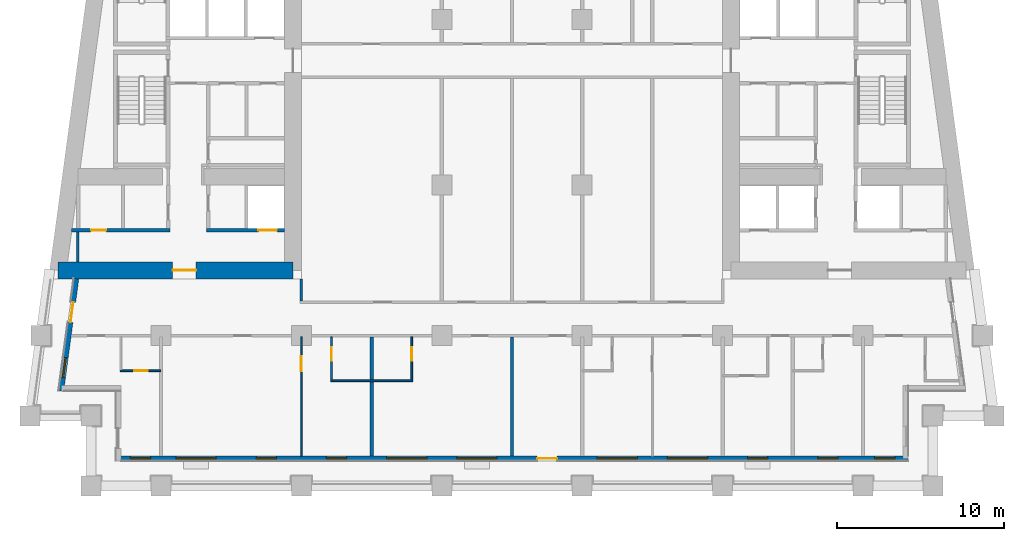
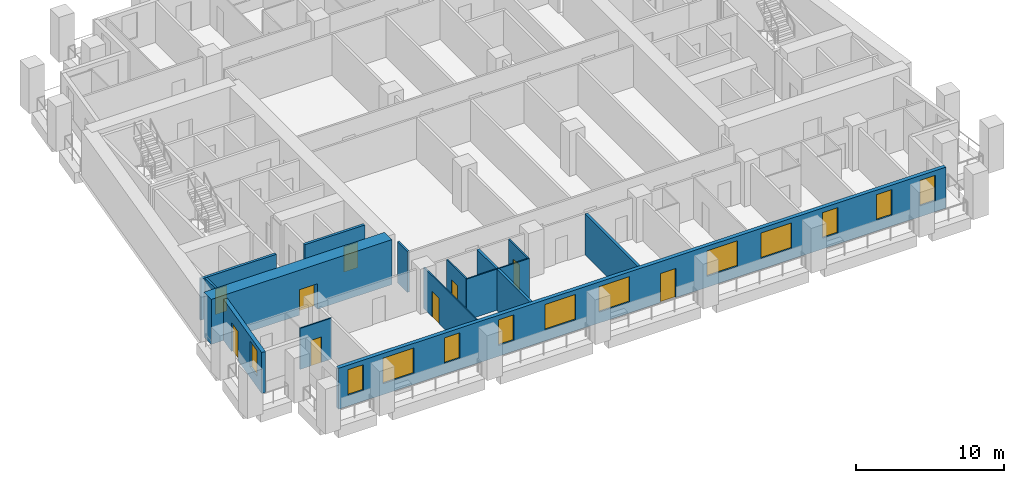
# One storey, part 2 of 13: 14 walls, 12 windows, 9 doors, 21 openings.
"""IFC4 building model written with IfcOpenShell, lengths in metres."""

from ifc_helpers import new_model, si_unit, direction, frame, frame_2d, origin, place, context, subcontext, project, spatial, rectangle, extrude, material, layer, layer_set, type_object, element, fill, save


model = new_model("IFC4")

# Units and contexts
model_context = context("Model", 3, precision=1e-05, world=origin(), true_north=direction((0.0, 1.0)))
body_context = subcontext(model_context, "Body", "Model", "MODEL_VIEW")
ifc_project = project(units=[si_unit("LENGTHUNIT", "METRE"), si_unit("AREAUNIT", "SQUARE_METRE"), si_unit("VOLUMEUNIT", "CUBIC_METRE"), si_unit("PLANEANGLEUNIT", "RADIAN"), si_unit("MASSUNIT", "GRAM", prefix="KILO")], contexts=[model_context])

# Site, building, storey
site_placement = place(None, origin())
site = spatial("IfcSite", under=ifc_project, at=site_placement, CompositionType="ELEMENT")
building_placement = place(site_placement, origin())
building = spatial("IfcBuilding", under=site, at=building_placement, Name="Candeia Pilgrim Tower and Theatre", CompositionType="ELEMENT")
storey_placement = place(building_placement, frame((0.0, 0.0, 113.199951171875)))
storey = spatial("IfcBuildingStorey", under=building, at=storey_placement, Name="L26", CompositionType="ELEMENT", Elevation=113.199951171875)

# Wall, opening, door
ifc_material_1 = material(Name="Concrete C70/85", Category="concrete")
ifc_layer_1 = layer(ifc_material_1, 1.0)
ifc_layer_set_1 = layer_set([ifc_layer_1], Name="Core wall 1000 C70/85")
wall_type_1 = type_object("IfcWallType", Name="Core wall 1000 C70/85", PredefinedType="SHEAR", material=ifc_layer_set_1)
wall_1_placement = place(storey_placement, frame((100.300048828125, 110.89990234375, 0.0), z_axis=(0.0, 0.0, 1.0), x_axis=(-1.0, 0.0, 0.0)))
wall_1 = element("IfcWall", 1, at=wall_1_placement, inside=storey, type_object=wall_type_1, Name="Core wall W3", PredefinedType="SHEAR", context=body_context, shape_type="SweptSolid", body=[
    extrude(rectangle(XDim=14.05908203125, YDim=1.0, at=frame_2d((7.029541015625, 0.0))), origin(), (0.0, 0.0, 1.0), 3.699951171875),
])
opening_1_placement = place(wall_1_placement, frame((5.801513671875, 0.0, 0.0)))
opening_1 = element("IfcOpeningElement", 2, at=opening_1_placement, cuts=wall_1, Name="Opening L26-D059", PredefinedType="OPENING", context=body_context, shape_type="SweptSolid", body=[
    extrude(rectangle(XDim=1.39990234375, YDim=2.10009765625, at=frame_2d((0.699951171875, 1.050048828125))), frame((0.0, 0.510009765625, 0.0), z_axis=(0.0, -1.0, 0.0), x_axis=(1.0, 0.0, 0.0)), (0.0, 0.0, 1.0), 1.02001953125),
])
ifc_material_2 = material(Name="Steel fire door set", Category="steel")
door_type_1 = type_object("IfcDoorType", Name="D-1400-FD60", OperationType="NOTDEFINED", PredefinedType="DOOR", material=ifc_material_2)
door_1_placement = place(opening_1_placement, origin())
door_1 = element("IfcDoor", 3, at=door_1_placement, inside=storey, type_object=door_type_1, Name="Door L26-D059", OperationType="SINGLE_SWING_LEFT", OverallHeight=2.10009765625, OverallWidth=1.39990234375, PredefinedType="DOOR", context=body_context, shape_type="SweptSolid", body=[
    extrude(rectangle(XDim=1.39990234375, YDim=2.10009765625, at=frame_2d((0.699951171875, 1.050048828125))), frame((0.0, 0.02490234375, 0.0), z_axis=(0.0, -1.0, 0.0), x_axis=(1.0, 0.0, 0.0)), (0.0, 0.0, 1.0), 0.050048828125),
])
fill(opening_1, door_1)

# Wall, openings, door, windows
ifc_material_3 = material(Name="Ceramic block masonry", Category="masonry")
ifc_layer_2 = layer(ifc_material_3, 0.300048828125)
ifc_layer_set_2 = layer_set([ifc_layer_2], Name="EW1 glazing-line wall 300")
wall_type_2 = type_object("IfcWallType", Name="EW1 glazing-line wall 300", PredefinedType="SOLIDWALL", material=ifc_layer_set_2)
wall_2_placement = place(storey_placement, frame((89.85009765625, 99.64990234375, 0.0), z_axis=(0.0, 0.0, 1.0), x_axis=(1.0, 0.0, 0.0)))
wall_2 = element("IfcWall", 4, at=wall_2_placement, inside=storey, type_object=wall_type_2, Name="External wall L26-0.0", PredefinedType="SOLIDWALL", context=body_context, shape_type="SweptSolid", body=[
    extrude(rectangle(XDim=47.25, YDim=0.300048828125, at=frame_2d((23.625, 0.0))), origin(), (0.0, 0.0, 1.0), 3.380126953125),
])
opening_2_placement = place(wall_2_placement, frame((0.72509765625, 0.0, 0.89990234375)))
opening_2 = element("IfcOpeningElement", 5, at=opening_2_placement, cuts=wall_2, Name="Opening W-B", PredefinedType="OPENING", context=body_context, shape_type="SweptSolid", body=[
    extrude(rectangle(XDim=1.199951171875, YDim=2.10009765625, at=frame_2d((0.60009765625, 1.050048828125))), frame((0.0, 0.16015625, 0.0), z_axis=(0.0, -1.0, 0.0), x_axis=(1.0, 0.0, 0.0)), (0.0, 0.0, 1.0), 0.320068359375),
])
opening_3_placement = place(wall_2_placement, frame((3.449951171875, 0.0, 0.89990234375)))
opening_3 = element("IfcOpeningElement", 6, at=opening_3_placement, cuts=wall_2, Name="Opening W-A", PredefinedType="OPENING", context=body_context, shape_type="SweptSolid", body=[
    extrude(rectangle(XDim=2.39990234375, YDim=2.10009765625, at=frame_2d((1.199951171875, 1.050048828125))), frame((0.0, 0.16015625, 0.0), z_axis=(0.0, -1.0, 0.0), x_axis=(1.0, 0.0, 0.0)), (0.0, 0.0, 1.0), 0.320068359375),
])
opening_4_placement = place(wall_2_placement, frame((8.25, 0.0, 0.89990234375)))
opening_4 = element("IfcOpeningElement", 7, at=opening_4_placement, cuts=wall_2, Name="Opening W-B", PredefinedType="OPENING", context=body_context, shape_type="SweptSolid", body=[
    extrude(rectangle(XDim=1.199951171875, YDim=2.10009765625, at=frame_2d((0.60009765625, 1.050048828125))), frame((0.0, 0.16015625, 0.0), z_axis=(0.0, -1.0, 0.0), x_axis=(1.0, 0.0, 0.0)), (0.0, 0.0, 1.0), 0.320068359375),
])
opening_5_placement = place(wall_2_placement, frame((12.449951171875, 0.0, 0.89990234375)))
opening_5 = element("IfcOpeningElement", 8, at=opening_5_placement, cuts=wall_2, Name="Opening W-B", PredefinedType="OPENING", context=body_context, shape_type="SweptSolid", body=[
    extrude(rectangle(XDim=1.199951171875, YDim=2.10009765625, at=frame_2d((0.60009765625, 1.050048828125))), frame((0.0, 0.16015625, 0.0), z_axis=(0.0, -1.0, 0.0), x_axis=(1.0, 0.0, 0.0)), (0.0, 0.0, 1.0), 0.320068359375),
])
opening_6_placement = place(wall_2_placement, frame((16.050048828125, 0.0, 0.89990234375)))
opening_6 = element("IfcOpeningElement", 9, at=opening_6_placement, cuts=wall_2, Name="Opening W-A", PredefinedType="OPENING", context=body_context, shape_type="SweptSolid", body=[
    extrude(rectangle(XDim=2.39990234375, YDim=2.10009765625, at=frame_2d((1.199951171875, 1.050048828125))), frame((0.0, 0.16015625, 0.0), z_axis=(0.0, -1.0, 0.0), x_axis=(1.0, 0.0, 0.0)), (0.0, 0.0, 1.0), 0.320068359375),
])
opening_7_placement = place(wall_2_placement, frame((20.25, 0.0, 0.89990234375)))
opening_7 = element("IfcOpeningElement", 10, at=opening_7_placement, cuts=wall_2, Name="Opening W-A", PredefinedType="OPENING", context=body_context, shape_type="SweptSolid", body=[
    extrude(rectangle(XDim=2.39990234375, YDim=2.10009765625, at=frame_2d((1.199951171875, 1.050048828125))), frame((0.0, 0.16015625, 0.0), z_axis=(0.0, -1.0, 0.0), x_axis=(1.0, 0.0, 0.0)), (0.0, 0.0, 1.0), 0.320068359375),
])
opening_8_placement = place(wall_2_placement, frame((25.050048828125, 0.0, 0.0)))
opening_8 = element("IfcOpeningElement", 11, at=opening_8_placement, cuts=wall_2, Name="Opening L26-ED263", PredefinedType="OPENING", context=body_context, shape_type="SweptSolid", body=[
    extrude(rectangle(XDim=1.199951171875, YDim=2.39990234375, at=frame_2d((0.60009765625, 1.199951171875))), frame((0.0, 0.16015625, 0.0), z_axis=(0.0, -1.0, 0.0), x_axis=(1.0, 0.0, 0.0)), (0.0, 0.0, 1.0), 0.320068359375),
])
opening_9_placement = place(wall_2_placement, frame((28.64990234375, 0.0, 0.89990234375)))
opening_9 = element("IfcOpeningElement", 12, at=opening_9_placement, cuts=wall_2, Name="Opening W-A", PredefinedType="OPENING", context=body_context, shape_type="SweptSolid", body=[
    extrude(rectangle(XDim=2.39990234375, YDim=2.10009765625, at=frame_2d((1.199951171875, 1.050048828125))), frame((0.0, 0.16015625, 0.0), z_axis=(0.0, -1.0, 0.0), x_axis=(1.0, 0.0, 0.0)), (0.0, 0.0, 1.0), 0.320068359375),
])
opening_10_placement = place(wall_2_placement, frame((32.85009765625, 0.0, 0.89990234375)))
opening_10 = element("IfcOpeningElement", 13, at=opening_10_placement, cuts=wall_2, Name="Opening W-A", PredefinedType="OPENING", context=body_context, shape_type="SweptSolid", body=[
    extrude(rectangle(XDim=2.39990234375, YDim=2.10009765625, at=frame_2d((1.199951171875, 1.050048828125))), frame((0.0, 0.16015625, 0.0), z_axis=(0.0, -1.0, 0.0), x_axis=(1.0, 0.0, 0.0)), (0.0, 0.0, 1.0), 0.320068359375),
])
opening_11_placement = place(wall_2_placement, frame((37.64990234375, 0.0, 0.89990234375)))
opening_11 = element("IfcOpeningElement", 14, at=opening_11_placement, cuts=wall_2, Name="Opening W-B", PredefinedType="OPENING", context=body_context, shape_type="SweptSolid", body=[
    extrude(rectangle(XDim=1.199951171875, YDim=2.10009765625, at=frame_2d((0.60009765625, 1.050048828125))), frame((0.0, 0.16015625, 0.0), z_axis=(0.0, -1.0, 0.0), x_axis=(1.0, 0.0, 0.0)), (0.0, 0.0, 1.0), 0.320068359375),
])
opening_12_placement = place(wall_2_placement, frame((41.85009765625, 0.0, 0.89990234375)))
opening_12 = element("IfcOpeningElement", 15, at=opening_12_placement, cuts=wall_2, Name="Opening W-B", PredefinedType="OPENING", context=body_context, shape_type="SweptSolid", body=[
    extrude(rectangle(XDim=1.199951171875, YDim=2.10009765625, at=frame_2d((0.60009765625, 1.050048828125))), frame((0.0, 0.16015625, 0.0), z_axis=(0.0, -1.0, 0.0), x_axis=(1.0, 0.0, 0.0)), (0.0, 0.0, 1.0), 0.320068359375),
])
opening_13_placement = place(wall_2_placement, frame((45.25, 0.0, 0.89990234375)))
opening_13 = element("IfcOpeningElement", 16, at=opening_13_placement, cuts=wall_2, Name="Opening W-B", PredefinedType="OPENING", context=body_context, shape_type="SweptSolid", body=[
    extrude(rectangle(XDim=1.199951171875, YDim=2.10009765625, at=frame_2d((0.60009765625, 1.050048828125))), frame((0.0, 0.16015625, 0.0), z_axis=(0.0, -1.0, 0.0), x_axis=(1.0, 0.0, 0.0)), (0.0, 0.0, 1.0), 0.320068359375),
])
ifc_material_4 = material(Name="Aluminium framed glazed door", Category="aluminium")
door_type_2 = type_object("IfcDoorType", Name="Loggia door 1200x2400", OperationType="DOUBLE_DOOR_SINGLE_SWING", PredefinedType="DOOR", material=ifc_material_4)
door_2_placement = place(opening_8_placement, origin())
door_2 = element("IfcDoor", 17, at=door_2_placement, inside=storey, type_object=door_type_2, Name="Loggia door L26-ED263", OperationType="DOUBLE_DOOR_SINGLE_SWING", OverallHeight=2.39990234375, OverallWidth=1.199951171875, PredefinedType="DOOR", context=body_context, shape_type="SweptSolid", body=[
    extrude(rectangle(XDim=1.199951171875, YDim=2.39990234375, at=frame_2d((0.60009765625, 1.199951171875))), frame((0.0, 0.02490234375, 0.0), z_axis=(0.0, -1.0, 0.0), x_axis=(1.0, 0.0, 0.0)), (0.0, 0.0, 1.0), 0.050048828125),
])
fill(opening_8, door_2)
ifc_material_5 = material(Name="Aluminium framed double glazing", Category="aluminium")
window_type_1 = type_object("IfcWindowType", Name="W-A window 2400x2100", PartitioningType="DOUBLE_PANEL_VERTICAL", PredefinedType="WINDOW", material=ifc_material_5)
window_1_placement = place(opening_3_placement, origin())
window_1 = element("IfcWindow", 18, at=window_1_placement, inside=storey, type_object=window_type_1, Name="Window W-A L26", OverallHeight=2.10009765625, OverallWidth=2.39990234375, PartitioningType="SINGLE_PANEL", PredefinedType="WINDOW", context=body_context, shape_type="SweptSolid", body=[
    extrude(rectangle(XDim=2.39990234375, YDim=2.10009765625, at=frame_2d((1.199951171875, 1.050048828125))), frame((0.0, 0.030029296875, 0.0), z_axis=(0.0, -1.0, 0.0), x_axis=(1.0, 0.0, 0.0)), (0.0, 0.0, 1.0), 0.06005859375),
])
fill(opening_3, window_1)
window_2_placement = place(opening_6_placement, origin())
window_2 = element("IfcWindow", 19, at=window_2_placement, inside=storey, type_object=window_type_1, Name="Window W-A L26", OverallHeight=2.10009765625, OverallWidth=2.39990234375, PartitioningType="SINGLE_PANEL", PredefinedType="WINDOW", context=body_context, shape_type="SweptSolid", body=[
    extrude(rectangle(XDim=2.39990234375, YDim=2.10009765625, at=frame_2d((1.199951171875, 1.050048828125))), frame((0.0, 0.030029296875, 0.0), z_axis=(0.0, -1.0, 0.0), x_axis=(1.0, 0.0, 0.0)), (0.0, 0.0, 1.0), 0.06005859375),
])
fill(opening_6, window_2)
window_3_placement = place(opening_7_placement, origin())
window_3 = element("IfcWindow", 20, at=window_3_placement, inside=storey, type_object=window_type_1, Name="Window W-A L26", OverallHeight=2.10009765625, OverallWidth=2.39990234375, PartitioningType="SINGLE_PANEL", PredefinedType="WINDOW", context=body_context, shape_type="SweptSolid", body=[
    extrude(rectangle(XDim=2.39990234375, YDim=2.10009765625, at=frame_2d((1.199951171875, 1.050048828125))), frame((0.0, 0.030029296875, 0.0), z_axis=(0.0, -1.0, 0.0), x_axis=(1.0, 0.0, 0.0)), (0.0, 0.0, 1.0), 0.06005859375),
])
fill(opening_7, window_3)
window_4_placement = place(opening_9_placement, origin())
window_4 = element("IfcWindow", 21, at=window_4_placement, inside=storey, type_object=window_type_1, Name="Window W-A L26", OverallHeight=2.10009765625, OverallWidth=2.39990234375, PartitioningType="SINGLE_PANEL", PredefinedType="WINDOW", context=body_context, shape_type="SweptSolid", body=[
    extrude(rectangle(XDim=2.39990234375, YDim=2.10009765625, at=frame_2d((1.199951171875, 1.050048828125))), frame((0.0, 0.030029296875, 0.0), z_axis=(0.0, -1.0, 0.0), x_axis=(1.0, 0.0, 0.0)), (0.0, 0.0, 1.0), 0.06005859375),
])
fill(opening_9, window_4)
window_5_placement = place(opening_10_placement, origin())
window_5 = element("IfcWindow", 22, at=window_5_placement, inside=storey, type_object=window_type_1, Name="Window W-A L26", OverallHeight=2.10009765625, OverallWidth=2.39990234375, PartitioningType="SINGLE_PANEL", PredefinedType="WINDOW", context=body_context, shape_type="SweptSolid", body=[
    extrude(rectangle(XDim=2.39990234375, YDim=2.10009765625, at=frame_2d((1.199951171875, 1.050048828125))), frame((0.0, 0.030029296875, 0.0), z_axis=(0.0, -1.0, 0.0), x_axis=(1.0, 0.0, 0.0)), (0.0, 0.0, 1.0), 0.06005859375),
])
fill(opening_10, window_5)
window_type_2 = type_object("IfcWindowType", Name="W-B window 1200x2100", PartitioningType="SINGLE_PANEL", PredefinedType="WINDOW", material=ifc_material_5)
window_6_placement = place(opening_2_placement, origin())
window_6 = element("IfcWindow", 23, at=window_6_placement, inside=storey, type_object=window_type_2, Name="Window W-B L26", OverallHeight=2.10009765625, OverallWidth=1.199951171875, PartitioningType="SINGLE_PANEL", PredefinedType="WINDOW", context=body_context, shape_type="SweptSolid", body=[
    extrude(rectangle(XDim=1.199951171875, YDim=2.10009765625, at=frame_2d((0.60009765625, 1.050048828125))), frame((0.0, 0.030029296875, 0.0), z_axis=(0.0, -1.0, 0.0), x_axis=(1.0, 0.0, 0.0)), (0.0, 0.0, 1.0), 0.06005859375),
])
fill(opening_2, window_6)
window_7_placement = place(opening_4_placement, origin())
window_7 = element("IfcWindow", 24, at=window_7_placement, inside=storey, type_object=window_type_2, Name="Window W-B L26", OverallHeight=2.10009765625, OverallWidth=1.199951171875, PartitioningType="SINGLE_PANEL", PredefinedType="WINDOW", context=body_context, shape_type="SweptSolid", body=[
    extrude(rectangle(XDim=1.199951171875, YDim=2.10009765625, at=frame_2d((0.60009765625, 1.050048828125))), frame((0.0, 0.030029296875, 0.0), z_axis=(0.0, -1.0, 0.0), x_axis=(1.0, 0.0, 0.0)), (0.0, 0.0, 1.0), 0.06005859375),
])
fill(opening_4, window_7)
window_8_placement = place(opening_5_placement, origin())
window_8 = element("IfcWindow", 25, at=window_8_placement, inside=storey, type_object=window_type_2, Name="Window W-B L26", OverallHeight=2.10009765625, OverallWidth=1.199951171875, PartitioningType="SINGLE_PANEL", PredefinedType="WINDOW", context=body_context, shape_type="SweptSolid", body=[
    extrude(rectangle(XDim=1.199951171875, YDim=2.10009765625, at=frame_2d((0.60009765625, 1.050048828125))), frame((0.0, 0.030029296875, 0.0), z_axis=(0.0, -1.0, 0.0), x_axis=(1.0, 0.0, 0.0)), (0.0, 0.0, 1.0), 0.06005859375),
])
fill(opening_5, window_8)
window_9_placement = place(opening_11_placement, origin())
window_9 = element("IfcWindow", 26, at=window_9_placement, inside=storey, type_object=window_type_2, Name="Window W-B L26", OverallHeight=2.10009765625, OverallWidth=1.199951171875, PartitioningType="SINGLE_PANEL", PredefinedType="WINDOW", context=body_context, shape_type="SweptSolid", body=[
    extrude(rectangle(XDim=1.199951171875, YDim=2.10009765625, at=frame_2d((0.60009765625, 1.050048828125))), frame((0.0, 0.030029296875, 0.0), z_axis=(0.0, -1.0, 0.0), x_axis=(1.0, 0.0, 0.0)), (0.0, 0.0, 1.0), 0.06005859375),
])
fill(opening_11, window_9)
window_10_placement = place(opening_12_placement, origin())
window_10 = element("IfcWindow", 27, at=window_10_placement, inside=storey, type_object=window_type_2, Name="Window W-B L26", OverallHeight=2.10009765625, OverallWidth=1.199951171875, PartitioningType="SINGLE_PANEL", PredefinedType="WINDOW", context=body_context, shape_type="SweptSolid", body=[
    extrude(rectangle(XDim=1.199951171875, YDim=2.10009765625, at=frame_2d((0.60009765625, 1.050048828125))), frame((0.0, 0.030029296875, 0.0), z_axis=(0.0, -1.0, 0.0), x_axis=(1.0, 0.0, 0.0)), (0.0, 0.0, 1.0), 0.06005859375),
])
fill(opening_12, window_10)
window_11_placement = place(opening_13_placement, origin())
window_11 = element("IfcWindow", 28, at=window_11_placement, inside=storey, type_object=window_type_2, Name="Window W-B L26", OverallHeight=2.10009765625, OverallWidth=1.199951171875, PartitioningType="SINGLE_PANEL", PredefinedType="WINDOW", context=body_context, shape_type="SweptSolid", body=[
    extrude(rectangle(XDim=1.199951171875, YDim=2.10009765625, at=frame_2d((0.60009765625, 1.050048828125))), frame((0.0, 0.030029296875, 0.0), z_axis=(0.0, -1.0, 0.0), x_axis=(1.0, 0.0, 0.0)), (0.0, 0.0, 1.0), 0.06005859375),
])
fill(opening_13, window_11)

# Wall, openings, door, window
wall_3_placement = place(storey_placement, frame((87.334228515625, 110.39990234375, 0.0), z_axis=(0.0, 0.0, 1.0), x_axis=(-0.133437175554, -0.991057273915, 0.0)))
wall_3 = element("IfcWall", 29, at=wall_3_placement, inside=storey, type_object=wall_type_2, Name="External wall L26-9.1", PredefinedType="SOLIDWALL", context=body_context, shape_type="SweptSolid", body=[
    extrude(rectangle(XDim=6.780517578125, YDim=0.300048828125, at=frame_2d((3.39013671875, 0.0))), origin(), (0.0, 0.0, 1.0), 3.380126953125),
])
opening_14_placement = place(wall_3_placement, frame((1.41796875, 0.0, 0.0)))
opening_14 = element("IfcOpeningElement", 30, at=opening_14_placement, cuts=wall_3, Name="Opening L26-ED270", PredefinedType="OPENING", context=body_context, shape_type="SweptSolid", body=[
    extrude(rectangle(XDim=1.199951171875, YDim=2.39990234375, at=frame_2d((0.60009765625, 1.199951171875))), frame((0.0, 0.16015625, 0.0), z_axis=(0.0, -1.0, 0.0), x_axis=(1.0, 0.0, 0.0)), (0.0, 0.0, 1.0), 0.320068359375),
])
opening_15_placement = place(wall_3_placement, frame((4.75830078125, 0.0, 0.89990234375)))
opening_15 = element("IfcOpeningElement", 31, at=opening_15_placement, cuts=wall_3, Name="Opening W-B", PredefinedType="OPENING", context=body_context, shape_type="SweptSolid", body=[
    extrude(rectangle(XDim=1.199951171875, YDim=2.10009765625, at=frame_2d((0.60009765625, 1.050048828125))), frame((0.0, 0.16015625, 0.0), z_axis=(0.0, -1.0, 0.0), x_axis=(1.0, 0.0, 0.0)), (0.0, 0.0, 1.0), 0.320068359375),
])
door_3_placement = place(opening_14_placement, origin())
door_3 = element("IfcDoor", 32, at=door_3_placement, inside=storey, type_object=door_type_2, Name="Loggia door L26-ED270", OperationType="DOUBLE_DOOR_SINGLE_SWING", OverallHeight=2.39990234375, OverallWidth=1.199951171875, PredefinedType="DOOR", context=body_context, shape_type="SweptSolid", body=[
    extrude(rectangle(XDim=1.199951171875, YDim=2.39990234375, at=frame_2d((0.60009765625, 1.199951171875))), frame((0.0, 0.02490234375, 0.0), z_axis=(0.0, -1.0, 0.0), x_axis=(1.0, 0.0, 0.0)), (0.0, 0.0, 1.0), 0.050048828125),
])
fill(opening_14, door_3)
window_12_placement = place(opening_15_placement, origin())
window_12 = element("IfcWindow", 33, at=window_12_placement, inside=storey, type_object=window_type_2, Name="Window W-B L26", OverallHeight=2.10009765625, OverallWidth=1.199951171875, PartitioningType="SINGLE_PANEL", PredefinedType="WINDOW", context=body_context, shape_type="SweptSolid", body=[
    extrude(rectangle(XDim=1.199951171875, YDim=2.10009765625, at=frame_2d((0.60009765625, 1.050048828125))), frame((0.0, 0.030029296875, 0.0), z_axis=(0.0, -1.0, 0.0), x_axis=(1.0, 0.0, 0.0)), (0.0, 0.0, 1.0), 0.06005859375),
])
fill(opening_15, window_12)

# Wall
ifc_material_6 = material(Name="Gypsum board partition on steel studs", Category="steel")
ifc_layer_3 = layer(ifc_material_6, 0.10009765625)
ifc_layer_set_3 = layer_set([ifc_layer_3], Name="PW-100 room partition")
wall_type_3 = type_object("IfcWallType", Name="PW-100 room partition", PredefinedType="PARTITIONING", material=ifc_layer_set_3)
wall_4_placement = place(storey_placement, frame((102.550048828125, 104.300048828125, 0.0), z_axis=(0.0, 0.0, 1.0), x_axis=(1.0, 0.0, 0.0)))
element("IfcWall", 34, at=wall_4_placement, inside=storey, type_object=wall_type_3, Name="Room partition L26-001", PredefinedType="PARTITIONING", context=body_context, shape_type="SweptSolid", body=[
    extrude(rectangle(XDim=4.89990234375, YDim=0.10009765625, at=frame_2d((2.449951171875, 0.0))), origin(), (0.0, 0.0, 1.0), 3.380126953125),
])

# Wall, opening, door
wall_5_placement = place(storey_placement, frame((89.949951171875, 104.89990234375, 0.0), z_axis=(0.0, 0.0, 1.0), x_axis=(1.0, 0.0, 0.0)))
wall_5 = element("IfcWall", 35, at=wall_5_placement, inside=storey, type_object=wall_type_3, Name="Room partition L26-004", PredefinedType="PARTITIONING", context=body_context, shape_type="SweptSolid", body=[
    extrude(rectangle(XDim=2.449951171875, YDim=0.10009765625, at=frame_2d((1.22509765625, 0.0))), origin(), (0.0, 0.0, 1.0), 3.380126953125),
])
opening_16_placement = place(wall_5_placement, frame((0.85009765625, 0.0, 0.0)))
opening_16 = element("IfcOpeningElement", 36, at=opening_16_placement, cuts=wall_5, Name="Opening L26-D018", PredefinedType="OPENING", context=body_context, shape_type="SweptSolid", body=[
    extrude(rectangle(XDim=0.800048828125, YDim=2.10009765625, at=frame_2d((0.39990234375, 1.050048828125))), frame((0.0, 0.06005859375, 0.0), z_axis=(0.0, -1.0, 0.0), x_axis=(1.0, 0.0, 0.0)), (0.0, 0.0, 1.0), 0.1201171875),
])
ifc_material_7 = material(Name="Timber door leaf", Category="wood")
door_type_3 = type_object("IfcDoorType", Name="D-800", OperationType="NOTDEFINED", PredefinedType="DOOR", material=ifc_material_7)
door_4_placement = place(opening_16_placement, origin())
door_4 = element("IfcDoor", 37, at=door_4_placement, inside=storey, type_object=door_type_3, Name="Door L26-D018", OperationType="SINGLE_SWING_RIGHT", OverallHeight=2.10009765625, OverallWidth=0.800048828125, PredefinedType="DOOR", context=body_context, shape_type="SweptSolid", body=[
    extrude(rectangle(XDim=0.800048828125, YDim=2.10009765625, at=frame_2d((0.39990234375, 1.050048828125))), frame((0.0, 0.02490234375, 0.0), z_axis=(0.0, -1.0, 0.0), x_axis=(1.0, 0.0, 0.0)), (0.0, 0.0, 1.0), 0.050048828125),
])
fill(opening_16, door_4)

wall_6_placement = place(storey_placement, frame((100.800048828125, 99.7900390625, 0.0), z_axis=(0.0, 0.0, 1.0), x_axis=(0.0, 1.0, 0.0)))
wall_6 = element("IfcWall", 38, at=wall_6_placement, inside=storey, type_object=wall_type_3, Name="Room partition L26-067", PredefinedType="PARTITIONING", context=body_context, shape_type="SweptSolid", body=[
    extrude(rectangle(XDim=7.135009765625, YDim=0.10009765625, at=frame_2d((3.5673828125, 0.0))), origin(), (0.0, 0.0, 1.0), 3.380126953125),
])
opening_17_placement = place(wall_6_placement, frame((5.074951171875, 0.0, 0.0)))
opening_17 = element("IfcOpeningElement", 39, at=opening_17_placement, cuts=wall_6, Name="Opening L26-D020", PredefinedType="OPENING", context=body_context, shape_type="SweptSolid", body=[
    extrude(rectangle(XDim=0.89990234375, YDim=2.10009765625, at=frame_2d((0.449951171875, 1.050048828125))), frame((0.0, 0.06005859375, 0.0), z_axis=(0.0, -1.0, 0.0), x_axis=(1.0, 0.0, 0.0)), (0.0, 0.0, 1.0), 0.1201171875),
])
door_type_4 = type_object("IfcDoorType", Name="D-900", OperationType="NOTDEFINED", PredefinedType="DOOR", material=ifc_material_7)
door_5_placement = place(opening_17_placement, origin())
door_5 = element("IfcDoor", 40, at=door_5_placement, inside=storey, type_object=door_type_4, Name="Door L26-D020", OperationType="SINGLE_SWING_RIGHT", OverallHeight=2.10009765625, OverallWidth=0.89990234375, PredefinedType="DOOR", context=body_context, shape_type="SweptSolid", body=[
    extrude(rectangle(XDim=0.89990234375, YDim=2.10009765625, at=frame_2d((0.449951171875, 1.050048828125))), frame((0.0, 0.02490234375, 0.0), z_axis=(0.0, -1.0, 0.0), x_axis=(1.0, 0.0, 0.0)), (0.0, 0.0, 1.0), 0.050048828125),
])
fill(opening_17, door_5)

wall_7_placement = place(storey_placement, frame((102.60009765625, 104.35009765625, 0.0), z_axis=(0.0, 0.0, 1.0), x_axis=(0.0, 1.0, 0.0)))
wall_7 = element("IfcWall", 41, at=wall_7_placement, inside=storey, type_object=wall_type_3, Name="Room partition L26-071", PredefinedType="PARTITIONING", context=body_context, shape_type="SweptSolid", body=[
    extrude(rectangle(XDim=2.574951171875, YDim=0.10009765625, at=frame_2d((1.28759765625, 0.0))), origin(), (0.0, 0.0, 1.0), 3.380126953125),
])
opening_18_placement = place(wall_7_placement, frame((1.139892578125, 0.0, 0.0)))
opening_18 = element("IfcOpeningElement", 42, at=opening_18_placement, cuts=wall_7, Name="Opening L26-D021", PredefinedType="OPENING", context=body_context, shape_type="SweptSolid", body=[
    extrude(rectangle(XDim=0.800048828125, YDim=2.10009765625, at=frame_2d((0.39990234375, 1.050048828125))), frame((0.0, 0.06005859375, 0.0), z_axis=(0.0, -1.0, 0.0), x_axis=(1.0, 0.0, 0.0)), (0.0, 0.0, 1.0), 0.1201171875),
])
door_6_placement = place(opening_18_placement, origin())
door_6 = element("IfcDoor", 43, at=door_6_placement, inside=storey, type_object=door_type_3, Name="Door L26-D021", OperationType="SINGLE_SWING_LEFT", OverallHeight=2.10009765625, OverallWidth=0.800048828125, PredefinedType="DOOR", context=body_context, shape_type="SweptSolid", body=[
    extrude(rectangle(XDim=0.800048828125, YDim=2.10009765625, at=frame_2d((0.39990234375, 1.050048828125))), frame((0.0, 0.02490234375, 0.0), z_axis=(0.0, -1.0, 0.0), x_axis=(1.0, 0.0, 0.0)), (0.0, 0.0, 1.0), 0.050048828125),
])
fill(opening_18, door_6)

wall_8_placement = place(storey_placement, frame((107.39990234375, 104.35009765625, 0.0), z_axis=(0.0, 0.0, 1.0), x_axis=(0.0, 1.0, 0.0)))
wall_8 = element("IfcWall", 44, at=wall_8_placement, inside=storey, type_object=wall_type_3, Name="Room partition L26-075", PredefinedType="PARTITIONING", context=body_context, shape_type="SweptSolid", body=[
    extrude(rectangle(XDim=2.574951171875, YDim=0.10009765625, at=frame_2d((1.28759765625, 0.0))), origin(), (0.0, 0.0, 1.0), 3.380126953125),
])
opening_19_placement = place(wall_8_placement, frame((1.139892578125, 0.0, 0.0)))
opening_19 = element("IfcOpeningElement", 45, at=opening_19_placement, cuts=wall_8, Name="Opening L26-D023", PredefinedType="OPENING", context=body_context, shape_type="SweptSolid", body=[
    extrude(rectangle(XDim=0.800048828125, YDim=2.10009765625, at=frame_2d((0.39990234375, 1.050048828125))), frame((0.0, 0.06005859375, 0.0), z_axis=(0.0, -1.0, 0.0), x_axis=(1.0, 0.0, 0.0)), (0.0, 0.0, 1.0), 0.1201171875),
])
door_7_placement = place(opening_19_placement, origin())
door_7 = element("IfcDoor", 46, at=door_7_placement, inside=storey, type_object=door_type_3, Name="Door L26-D023", OperationType="SINGLE_SWING_LEFT", OverallHeight=2.10009765625, OverallWidth=0.800048828125, PredefinedType="DOOR", context=body_context, shape_type="SweptSolid", body=[
    extrude(rectangle(XDim=0.800048828125, YDim=2.10009765625, at=frame_2d((0.39990234375, 1.050048828125))), frame((0.0, 0.02490234375, 0.0), z_axis=(0.0, -1.0, 0.0), x_axis=(1.0, 0.0, 0.0)), (0.0, 0.0, 1.0), 0.050048828125),
])
fill(opening_19, door_7)

# Walls
ifc_layer_4 = layer(ifc_material_6, 0.14990234375)
ifc_layer_set_4 = layer_set([ifc_layer_4], Name="PW-150 lobby wall")
wall_type_4 = type_object("IfcWallType", Name="PW-150 lobby wall", PredefinedType="PARTITIONING", material=ifc_layer_set_4)
wall_9_placement = place(storey_placement, frame((87.428955078125, 111.39990234375, 0.0), z_axis=(0.0, 0.0, 1.0), x_axis=(0.0, 1.0, 0.0)))
element("IfcWall", 47, at=wall_9_placement, inside=storey, type_object=wall_type_4, Name="Lobby wall L26-047", PredefinedType="PARTITIONING", context=body_context, shape_type="SweptSolid", body=[
    extrude(rectangle(XDim=1.800048828125, YDim=0.14990234375, at=frame_2d((0.89990234375, 0.0))), origin(), (0.0, 0.0, 1.0), 3.380126953125),
])
ifc_layer_5 = layer(ifc_material_6, 0.14990234375)
ifc_layer_set_5 = layer_set([ifc_layer_5], Name="PW-150 unit wall")
wall_type_5 = type_object("IfcWallType", Name="PW-150 unit wall", PredefinedType="PARTITIONING", material=ifc_layer_set_5)
wall_10_placement = place(storey_placement, frame((100.800048828125, 109.074951171875, 0.0), z_axis=(0.0, 0.0, 1.0), x_axis=(0.0, 1.0, 0.0)))
element("IfcWall", 48, at=wall_10_placement, inside=storey, type_object=wall_type_5, Name="Unit wall L26-069", PredefinedType="PARTITIONING", context=body_context, shape_type="SweptSolid", body=[
    extrude(rectangle(XDim=1.324951171875, YDim=0.14990234375, at=frame_2d((0.66259765625, 0.0))), origin(), (0.0, 0.0, 1.0), 3.380126953125),
])
ifc_layer_6 = layer(ifc_material_6, 0.199951171875)
ifc_layer_set_6 = layer_set([ifc_layer_6], Name="PW-200 party wall")
wall_type_6 = type_object("IfcWallType", Name="PW-200 party wall", PredefinedType="PARTITIONING", material=ifc_layer_set_6)
for number, where, z_axis, x_axis, name in (
    (49, (105.0, 99.7900390625, 0.0), (0.0, 0.0, 1.0), (0.0, 1.0, 0.0), "Party wall L26-073"),
    (50, (113.39990234375, 99.7900390625, 0.0), (0.0, 0.0, 1.0), (0.0, 1.0, 0.0), "Party wall L26-081"),
):
    element("IfcWall", number, at=place(storey_placement, frame(where, z_axis=z_axis, x_axis=x_axis)), inside=storey, type_object=wall_type_6, Name=name, PredefinedType="PARTITIONING", context=body_context, shape_type="SweptSolid", body=[
        extrude(rectangle(XDim=7.135009765625, YDim=0.199951171875, at=frame_2d((3.5673828125, 0.0))), origin(), (0.0, 0.0, 1.0), 3.380126953125),
    ])

# Wall, opening, door
ifc_material_8 = material(Name="Concrete C40/50", Category="concrete")
ifc_layer_7 = layer(ifc_material_8, 0.199951171875)
ifc_layer_set_7 = layer_set([ifc_layer_7], Name="SW-200 shaft wall")
wall_type_7 = type_object("IfcWallType", Name="SW-200 shaft wall", PredefinedType="PARTITIONING", material=ifc_layer_set_7)
wall_11_placement = place(storey_placement, frame((87.03857421875, 113.300048828125, 0.0), z_axis=(0.0, 0.0, 1.0), x_axis=(1.0, 0.0, 0.0)))
wall_11 = element("IfcWall", 51, at=wall_11_placement, inside=storey, type_object=wall_type_7, Name="Shaft wall L26-009", PredefinedType="PARTITIONING", context=body_context, shape_type="SweptSolid", body=[
    extrude(rectangle(XDim=5.888427734375, YDim=0.199951171875, at=frame_2d((2.9443359375, 0.0))), origin(), (0.0, 0.0, 1.0), 3.380126953125),
])
opening_20_placement = place(wall_11_placement, frame((1.180419921875, 0.0, 0.0)))
opening_20 = element("IfcOpeningElement", 52, at=opening_20_placement, cuts=wall_11, Name="Opening L26-D007", PredefinedType="OPENING", context=body_context, shape_type="SweptSolid", body=[
    extrude(rectangle(XDim=0.89990234375, YDim=2.10009765625, at=frame_2d((0.449951171875, 1.050048828125))), frame((0.0, 0.10986328125, 0.0), z_axis=(0.0, -1.0, 0.0), x_axis=(1.0, 0.0, 0.0)), (0.0, 0.0, 1.0), 0.219970703125),
])
door_type_5 = type_object("IfcDoorType", Name="D-900-FD60", OperationType="NOTDEFINED", PredefinedType="DOOR", material=ifc_material_2)
door_8_placement = place(opening_20_placement, origin())
door_8 = element("IfcDoor", 53, at=door_8_placement, inside=storey, type_object=door_type_5, Name="Door L26-D007", OperationType="SINGLE_SWING_RIGHT", OverallHeight=2.10009765625, OverallWidth=0.89990234375, PredefinedType="DOOR", context=body_context, shape_type="SweptSolid", body=[
    extrude(rectangle(XDim=0.89990234375, YDim=2.10009765625, at=frame_2d((0.449951171875, 1.050048828125))), frame((0.0, 0.02490234375, 0.0), z_axis=(0.0, -1.0, 0.0), x_axis=(1.0, 0.0, 0.0)), (0.0, 0.0, 1.0), 0.050048828125),
])
fill(opening_20, door_8)

wall_12_placement = place(storey_placement, frame((95.126953125, 113.300048828125, 0.0), z_axis=(0.0, 0.0, 1.0), x_axis=(1.0, 0.0, 0.0)))
wall_12 = element("IfcWall", 54, at=wall_12_placement, inside=storey, type_object=wall_type_7, Name="Shaft wall L26-010", PredefinedType="PARTITIONING", context=body_context, shape_type="SweptSolid", body=[
    extrude(rectangle(XDim=4.673095703125, YDim=0.199951171875, at=frame_2d((2.33642578125, 0.0))), origin(), (0.0, 0.0, 1.0), 3.380126953125),
])
opening_21_placement = place(wall_12_placement, frame((3.10107421875, 0.0, 0.0)))
opening_21 = element("IfcOpeningElement", 55, at=opening_21_placement, cuts=wall_12, Name="Opening L26-LD03", PredefinedType="OPENING", context=body_context, shape_type="SweptSolid", body=[
    extrude(rectangle(XDim=1.10009765625, YDim=2.10009765625, at=frame_2d((0.550048828125, 1.050048828125))), frame((0.0, 0.10986328125, 0.0), z_axis=(0.0, -1.0, 0.0), x_axis=(1.0, 0.0, 0.0)), (0.0, 0.0, 1.0), 0.219970703125),
])
ifc_material_9 = material(Name="Glazed aluminium landing door", Category="aluminium")
door_type_6 = type_object("IfcDoorType", Name="LD-1100-EI120", OperationType="SLIDING_TO_LEFT", PredefinedType="DOOR", material=ifc_material_9)
door_9_placement = place(opening_21_placement, origin())
door_9 = element("IfcDoor", 56, at=door_9_placement, inside=storey, type_object=door_type_6, Name="Landing door 03 L26", OperationType="SLIDING_TO_LEFT", OverallHeight=2.10009765625, OverallWidth=1.10009765625, PredefinedType="DOOR", context=body_context, shape_type="SweptSolid", body=[
    extrude(rectangle(XDim=1.10009765625, YDim=2.10009765625, at=frame_2d((0.550048828125, 1.050048828125))), frame((0.0, 0.02490234375, 0.0), z_axis=(0.0, -1.0, 0.0), x_axis=(1.0, 0.0, 0.0)), (0.0, 0.0, 1.0), 0.050048828125),
])
fill(opening_21, door_9)

save(model, "model.ifc")
